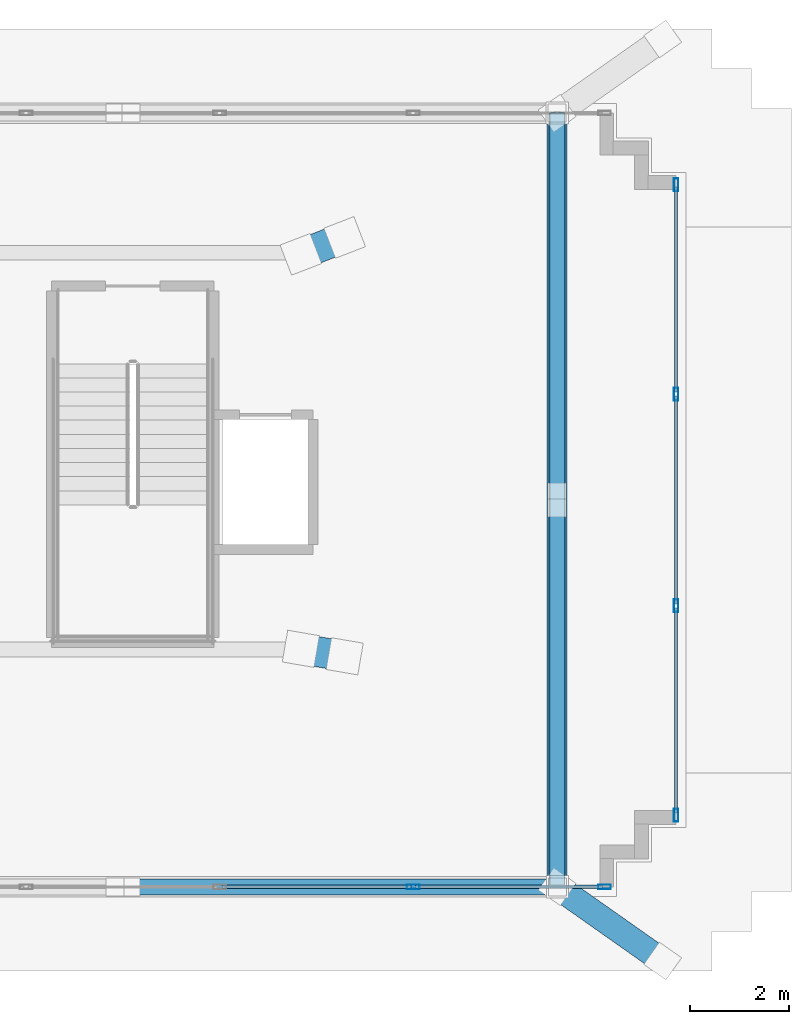
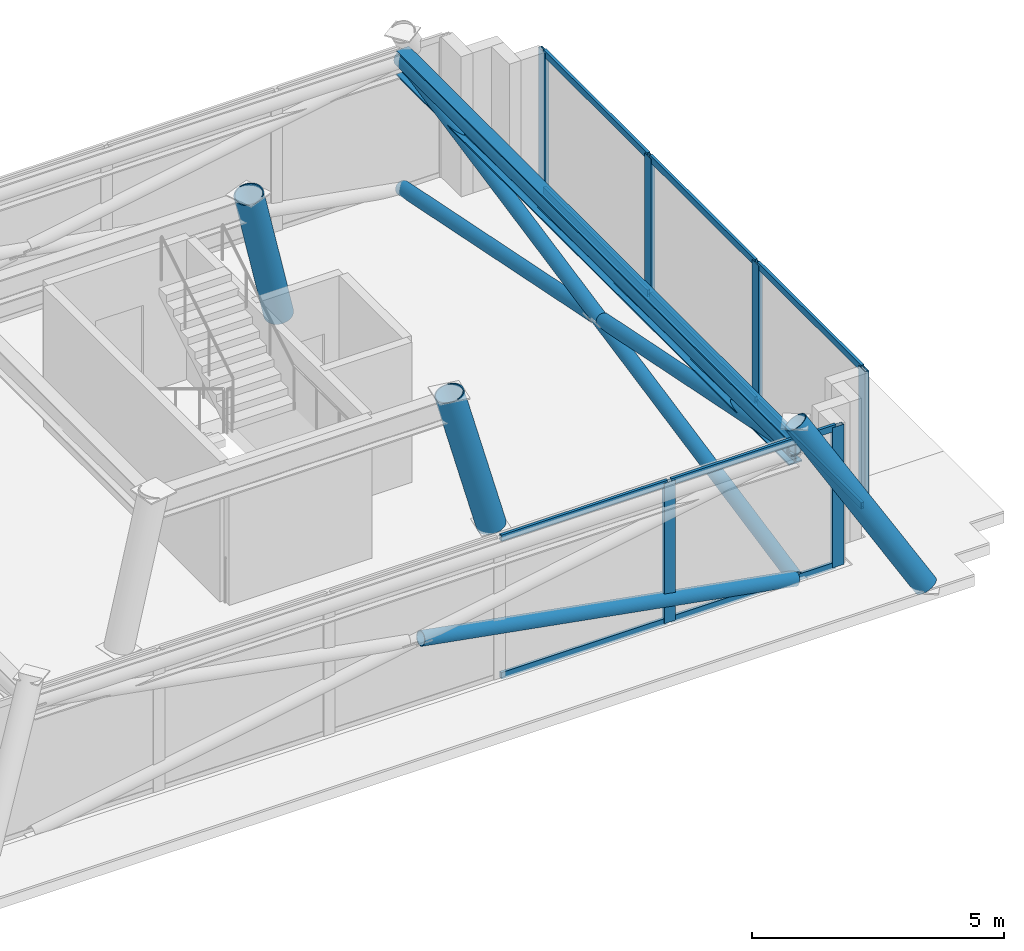
# One storey, part 3 of 8: 24 members, 1 beam, 2 elements without a shape of their own.
"""IFC4 building model written with IfcOpenShell, lengths in metres."""

from ifc_helpers import new_model, si_unit, direction, frame, origin, origin_2d, place, context, subcontext, project, spatial, hollow_rectangle, hollow_circle, i_section, extrude, material, layer, layer_set, material_profile, profile_set, type_object, element, aggregate, save


model = new_model("IFC4")

# Units and contexts
model_context = context("Model", 3, precision=1e-05, world=origin(), true_north=direction((0.0, 1.0)))
body_context = subcontext(model_context, "Body", "Model", "MODEL_VIEW")
ifc_project = project(units=[si_unit("LENGTHUNIT", "METRE"), si_unit("AREAUNIT", "SQUARE_METRE"), si_unit("VOLUMEUNIT", "CUBIC_METRE"), si_unit("PLANEANGLEUNIT", "RADIAN"), si_unit("MASSUNIT", "GRAM", prefix="KILO")], contexts=[model_context])

# Site, building, storey
site_placement = place(None, origin())
site = spatial("IfcSite", under=ifc_project, at=site_placement, CompositionType="ELEMENT")
building_placement = place(site_placement, origin())
building = spatial("IfcBuilding", under=site, at=building_placement, Name="Qobustan Lattice House", CompositionType="ELEMENT")
storey_placement = place(building_placement, frame((0.0, 0.0, 289.199951171875)))
storey = spatial("IfcBuildingStorey", under=building, at=storey_placement, Name="L81", CompositionType="ELEMENT", Elevation=289.199951171875)

# Beam
ifc_material_1 = material(Name="Steel S355", Category="steel")
ifc_material_profile_1 = material_profile(ifc_material_1, i_section(OverallWidth=0.300048828125, OverallDepth=0.60009765625, WebThickness=0.015380859375, FlangeThickness=0.030029296875, FilletRadius=0.027099609375, at=origin_2d()), Name="HEB600")
ifc_profile_set_1 = profile_set([ifc_material_profile_1], Name="Steel S355")
beam_type = type_object("IfcBeamType", Name="BM-POD-HEB600", PredefinedType="USERDEFINED", material=ifc_profile_set_1)
beam_placement = place(storey_placement, frame((8.56640625, -9.408447265625, 3.10009765625), z_axis=(0.0, 1.0, 0.0), x_axis=(-1.0, 0.0, 0.0)))
element("IfcBeam", 1, at=beam_placement, inside=storey, type_object=beam_type, Name="L81 crown perimeter ring beam 2", ObjectType="GIRDER", PredefinedType="USERDEFINED", context=body_context, shape_type="SweptSolid", body=[
    extrude(i_section(OverallWidth=0.300048828125, OverallDepth=0.60009765625, WebThickness=0.015380859375, FlangeThickness=0.030029296875, FilletRadius=0.027099609375, at=origin_2d()), origin(), (0.0, 0.0, 1.0), 15.616943359375),
])

# Curtain wall, members
ifc_material_2 = material(Name="Anodised aluminium and low-E glazing", Category="aluminium")
ifc_layer = layer(ifc_material_2, 0.219970703125)
ifc_layer_set = layer_set([ifc_layer], Name="Anodised aluminium and low-E glazing")
curtain_wall_type = type_object("IfcCurtainWallType", Name="CW-CRN-01", PredefinedType="USERDEFINED", material=ifc_layer_set)
curtain_wall_1_placement = place(storey_placement, origin())
curtain_wall_1 = element("IfcCurtainWall", 2, at=curtain_wall_1_placement, inside=storey, type_object=curtain_wall_type, Name="L81 glass-point crown faceted curtain wall 15", ObjectType="CURTAIN WALL", PredefinedType="USERDEFINED")
ifc_material_3 = material(Name="Anodised aluminium EN AW-6063 T6", Category="aluminium")
ifc_material_profile_2 = material_profile(ifc_material_3, hollow_rectangle(XDim=0.090087890625, YDim=0.260009765625, WallThickness=0.006103515625, at=origin_2d()), Name="CWM-CROWN-260x90")
ifc_profile_set_2 = profile_set([ifc_material_profile_2], Name="Anodised aluminium EN AW-6063 T6")
member_type_1 = type_object("IfcMemberType", Name="CWM-CRN-260", PredefinedType="MULLION", material=ifc_profile_set_2)
member_1_placement = place(storey_placement, frame((10.966552734375, 4.763427734375, 0.0), z_axis=(0.0, 0.0, 1.0), x_axis=(1.0, 0.0, 0.0)))
member_1 = element("IfcMember", 3, at=member_1_placement, type_object=member_type_1, Name="CW-CR mullion 1", PredefinedType="MULLION", context=body_context, shape_type="SweptSolid", body=[
    extrude(hollow_rectangle(XDim=0.090087890625, YDim=0.260009765625, WallThickness=0.006103515625, at=origin_2d()), origin(), (0.0, 0.0, 1.0), 3.400146484375),
])
member_2_placement = place(storey_placement, frame((10.966552734375, 0.5361328125, 0.0), z_axis=(0.0, 0.0, 1.0), x_axis=(1.0, 0.0, 0.0)))
member_2 = element("IfcMember", 4, at=member_2_placement, type_object=member_type_1, Name="CW-CR mullion 2", PredefinedType="MULLION", context=body_context, shape_type="SweptSolid", body=[
    extrude(hollow_rectangle(XDim=0.090087890625, YDim=0.260009765625, WallThickness=0.006103515625, at=origin_2d()), origin(), (0.0, 0.0, 1.0), 3.400146484375),
])
member_3_placement = place(storey_placement, frame((10.966552734375, -3.736083984375, 0.0), z_axis=(0.0, 0.0, 1.0), x_axis=(1.0, 0.0, 0.0)))
member_3 = element("IfcMember", 5, at=member_3_placement, type_object=member_type_1, Name="CW-CR mullion 3", PredefinedType="MULLION", context=body_context, shape_type="SweptSolid", body=[
    extrude(hollow_rectangle(XDim=0.090087890625, YDim=0.260009765625, WallThickness=0.006103515625, at=origin_2d()), origin(), (0.0, 0.0, 1.0), 3.400146484375),
])
member_4_placement = place(storey_placement, frame((10.966552734375, -7.96337890625, 0.0), z_axis=(0.0, 0.0, 1.0), x_axis=(1.0, 0.0, 0.0)))
member_4 = element("IfcMember", 6, at=member_4_placement, type_object=member_type_1, Name="CW-CR mullion 4", PredefinedType="MULLION", context=body_context, shape_type="SweptSolid", body=[
    extrude(hollow_rectangle(XDim=0.090087890625, YDim=0.260009765625, WallThickness=0.006103515625, at=origin_2d()), origin(), (0.0, 0.0, 1.0), 3.400146484375),
])

curtain_wall_2_placement = place(storey_placement, origin())
curtain_wall_2 = element("IfcCurtainWall", 7, at=curtain_wall_2_placement, inside=storey, type_object=curtain_wall_type, Name="L81 glass-point crown faceted curtain wall 20", ObjectType="CURTAIN WALL", PredefinedType="USERDEFINED")
member_5_placement = place(storey_placement, frame((9.521484375, -9.408447265625, 0.0), z_axis=(0.0, 0.0, 1.0), x_axis=(0.0, -1.0, 0.0)))
member_5 = element("IfcMember", 8, at=member_5_placement, type_object=member_type_1, Name="CW-CR mullion 1", PredefinedType="MULLION", context=body_context, shape_type="SweptSolid", body=[
    extrude(hollow_rectangle(XDim=0.090087890625, YDim=0.260009765625, WallThickness=0.006103515625, at=origin_2d()), origin(), (0.0, 0.0, 1.0), 3.400146484375),
])
member_6_placement = place(storey_placement, frame((5.659912109375, -9.408447265625, 0.0), z_axis=(0.0, 0.0, 1.0), x_axis=(0.0, -1.0, 0.0)))
member_6 = element("IfcMember", 9, at=member_6_placement, type_object=member_type_1, Name="CW-CR mullion 2", PredefinedType="MULLION", context=body_context, shape_type="SweptSolid", body=[
    extrude(hollow_rectangle(XDim=0.090087890625, YDim=0.260009765625, WallThickness=0.006103515625, at=origin_2d()), origin(), (0.0, 0.0, 1.0), 3.400146484375),
])

# Member
ifc_material_4 = material(Name="Anodised aluminium EN AW-6063 T6", Category="aluminium")
ifc_material_profile_3 = material_profile(ifc_material_4, hollow_rectangle(XDim=0.06494140625, YDim=0.159912109375, WallThickness=0.00390625, at=origin_2d()), Name="CWT-160x65")
ifc_profile_set_3 = profile_set([ifc_material_profile_3], Name="Anodised aluminium EN AW-6063 T6")
member_type_2 = type_object("IfcMemberType", Name="CWT-HOR-160", PredefinedType="USERDEFINED", material=ifc_profile_set_3)
member_7_placement = place(storey_placement, frame((10.966552734375, 4.718505859375, 0.032470703125), z_axis=(0.0, -1.0, 0.0), x_axis=(1.0, 0.0, 0.0)))
member_7 = element("IfcMember", 10, at=member_7_placement, type_object=member_type_2, Name="CW-CR transom 1.1", ObjectType="TRANSOM", PredefinedType="USERDEFINED", context=body_context, shape_type="SweptSolid", body=[
    extrude(hollow_rectangle(XDim=0.06494140625, YDim=0.159912109375, WallThickness=0.00390625, at=origin_2d()), origin(), (0.0, 0.0, 1.0), 4.137451171875),
])

member_8_placement = place(storey_placement, frame((10.966552734375, 4.718505859375, 3.367431640625), z_axis=(0.0, -1.0, 0.0), x_axis=(1.0, 0.0, 0.0)))
member_8 = element("IfcMember", 11, at=member_8_placement, type_object=member_type_2, Name="CW-CR transom 1.2", ObjectType="TRANSOM", PredefinedType="USERDEFINED", context=body_context, shape_type="SweptSolid", body=[
    extrude(hollow_rectangle(XDim=0.06494140625, YDim=0.159912109375, WallThickness=0.00390625, at=origin_2d()), origin(), (0.0, 0.0, 1.0), 4.137451171875),
])

member_9_placement = place(storey_placement, frame((10.966552734375, 0.4912109375, 0.032470703125), z_axis=(0.0, -1.0, 0.0), x_axis=(1.0, 0.0, 0.0)))
member_9 = element("IfcMember", 12, at=member_9_placement, type_object=member_type_2, Name="CW-CR transom 2.1", ObjectType="TRANSOM", PredefinedType="USERDEFINED", context=body_context, shape_type="SweptSolid", body=[
    extrude(hollow_rectangle(XDim=0.06494140625, YDim=0.159912109375, WallThickness=0.00390625, at=origin_2d()), origin(), (0.0, 0.0, 1.0), 4.182373046875),
])

member_10_placement = place(storey_placement, frame((10.966552734375, 0.4912109375, 3.367431640625), z_axis=(0.0, -1.0, 0.0), x_axis=(1.0, 0.0, 0.0)))
member_10 = element("IfcMember", 13, at=member_10_placement, type_object=member_type_2, Name="CW-CR transom 2.2", ObjectType="TRANSOM", PredefinedType="USERDEFINED", context=body_context, shape_type="SweptSolid", body=[
    extrude(hollow_rectangle(XDim=0.06494140625, YDim=0.159912109375, WallThickness=0.00390625, at=origin_2d()), origin(), (0.0, 0.0, 1.0), 4.182373046875),
])

member_11_placement = place(storey_placement, frame((10.966552734375, -3.78125, 0.032470703125), z_axis=(0.0, -1.0, 0.0), x_axis=(1.0, 0.0, 0.0)))
member_11 = element("IfcMember", 14, at=member_11_placement, type_object=member_type_2, Name="CW-CR transom 3.1", ObjectType="TRANSOM", PredefinedType="USERDEFINED", context=body_context, shape_type="SweptSolid", body=[
    extrude(hollow_rectangle(XDim=0.06494140625, YDim=0.159912109375, WallThickness=0.00390625, at=origin_2d()), origin(), (0.0, 0.0, 1.0), 4.13720703125),
])

member_12_placement = place(storey_placement, frame((10.966552734375, -3.78125, 3.367431640625), z_axis=(0.0, -1.0, 0.0), x_axis=(1.0, 0.0, 0.0)))
member_12 = element("IfcMember", 15, at=member_12_placement, type_object=member_type_2, Name="CW-CR transom 3.2", ObjectType="TRANSOM", PredefinedType="USERDEFINED", context=body_context, shape_type="SweptSolid", body=[
    extrude(hollow_rectangle(XDim=0.06494140625, YDim=0.159912109375, WallThickness=0.00390625, at=origin_2d()), origin(), (0.0, 0.0, 1.0), 4.13720703125),
])

aggregate(curtain_wall_1, [member_1, member_2, member_3, member_4, member_7, member_8, member_9, member_10, member_11, member_12])

member_13_placement = place(storey_placement, frame((9.4765625, -9.408447265625, 0.032470703125), z_axis=(-1.0, 0.0, 0.0), x_axis=(0.0, -1.0, 0.0)))
member_13 = element("IfcMember", 16, at=member_13_placement, type_object=member_type_2, Name="CW-CR transom 1.1", ObjectType="TRANSOM", PredefinedType="USERDEFINED", context=body_context, shape_type="SweptSolid", body=[
    extrude(hollow_rectangle(XDim=0.06494140625, YDim=0.159912109375, WallThickness=0.00390625, at=origin_2d()), origin(), (0.0, 0.0, 1.0), 3.771728515625),
])

member_14_placement = place(storey_placement, frame((9.4765625, -9.408447265625, 3.367431640625), z_axis=(-1.0, 0.0, 0.0), x_axis=(0.0, -1.0, 0.0)))
member_14 = element("IfcMember", 17, at=member_14_placement, type_object=member_type_2, Name="CW-CR transom 1.2", ObjectType="TRANSOM", PredefinedType="USERDEFINED", context=body_context, shape_type="SweptSolid", body=[
    extrude(hollow_rectangle(XDim=0.06494140625, YDim=0.159912109375, WallThickness=0.00390625, at=origin_2d()), origin(), (0.0, 0.0, 1.0), 3.771728515625),
])

member_15_placement = place(storey_placement, frame((5.614990234375, -9.408447265625, 0.032470703125), z_axis=(-1.0, 0.0, 0.0), x_axis=(0.0, -1.0, 0.0)))
member_15 = element("IfcMember", 18, at=member_15_placement, type_object=member_type_2, Name="CW-CR transom 2.1", ObjectType="TRANSOM", PredefinedType="USERDEFINED", context=body_context, shape_type="SweptSolid", body=[
    extrude(hollow_rectangle(XDim=0.06494140625, YDim=0.159912109375, WallThickness=0.00390625, at=origin_2d()), origin(), (0.0, 0.0, 1.0), 3.816650390625),
])

member_16_placement = place(storey_placement, frame((5.614990234375, -9.408447265625, 3.367431640625), z_axis=(-1.0, 0.0, 0.0), x_axis=(0.0, -1.0, 0.0)))
member_16 = element("IfcMember", 19, at=member_16_placement, type_object=member_type_2, Name="CW-CR transom 2.2", ObjectType="TRANSOM", PredefinedType="USERDEFINED", context=body_context, shape_type="SweptSolid", body=[
    extrude(hollow_rectangle(XDim=0.06494140625, YDim=0.159912109375, WallThickness=0.00390625, at=origin_2d()), origin(), (0.0, 0.0, 1.0), 3.816650390625),
])

aggregate(curtain_wall_2, [member_5, member_6, member_13, member_14, member_15, member_16])

# Members
ifc_material_5 = material(Name="Steel S355", Category="steel")
ifc_material_profile_4 = material_profile(ifc_material_5, hollow_circle(Radius=0.161865234375, WallThickness=0.012451171875, at=origin_2d()), Name="CHS323.9x12.5")
ifc_profile_set_4 = profile_set([ifc_material_profile_4], Name="Steel S355")
member_type_3 = type_object("IfcMemberType", Name="MEM-CBR-CHS324", PredefinedType="BRACE", material=ifc_profile_set_4)
member_17_placement = place(storey_placement, frame((8.56640625, -9.408447265625, 0.01513671875), z_axis=(-0.984097492617, 0.0, 0.177629178415), x_axis=(0.0, -1.0, 0.0)))
element("IfcMember", 20, at=member_17_placement, inside=storey, type_object=member_type_3, Name="L81 crown diagrid split brace 1B lower", PredefinedType="BRACE", context=body_context, shape_type="SweptSolid", body=[
    extrude(hollow_circle(Radius=0.161865234375, WallThickness=0.012451171875, at=origin_2d()), origin(), (0.0, 0.0, 1.0), 8.739990234375),
])
member_18_placement = place(storey_placement, frame((8.56640625, -9.408447265625, 0.01513671875), z_axis=(0.0, 0.980077771983, 0.198614100368), x_axis=(-1.0, 0.0, 0.0)))
element("IfcMember", 21, at=member_18_placement, inside=storey, type_object=member_type_3, Name="L81 crown diagrid continuous brace 2A", PredefinedType="BRACE", context=body_context, shape_type="SweptSolid", body=[
    extrude(hollow_circle(Radius=0.161865234375, WallThickness=0.012451171875, at=origin_2d()), origin(), (0.0, 0.0, 1.0), 15.934326171875),
])
for number, where, z_axis, x_axis, name in (
    (22, (8.56640625, 6.20849609375, 0.01513671875), (0.0, -0.980076624288, 0.198619763682), (1.0, 0.0, 0.0), "L81 crown diagrid split brace 2B lower"),
    (23, (8.56640625, -1.7646484375, 1.630859375), (0.0, -0.980076624288, 0.198619763682), (1.0, 0.0, 0.0), "L81 crown diagrid split brace 2B upper"),
):
    element("IfcMember", number, at=place(storey_placement, frame(where, z_axis=z_axis, x_axis=x_axis)), inside=storey, type_object=member_type_3, Name=name, PredefinedType="BRACE", context=body_context, shape_type="SweptSolid", body=[
        extrude(hollow_circle(Radius=0.161865234375, WallThickness=0.012451171875, at=origin_2d()), origin(), (0.0, 0.0, 1.0), 7.799072265625),
    ])
ifc_material_6 = material(Name="Steel S355", Category="steel")
ifc_material_profile_5 = material_profile(ifc_material_6, hollow_circle(Radius=0.203125, WallThickness=0.01611328125, at=origin_2d()), Name="CHS406.4x16")
ifc_profile_set_5 = profile_set([ifc_material_profile_5], Name="Steel S355")
member_type_4 = type_object("IfcMemberType", Name="MEM-RNG-CHS406", PredefinedType="CHORD", material=ifc_profile_set_5)
member_19_placement = place(storey_placement, frame((8.56640625, -9.408447265625, 3.179931640625), z_axis=(0.0, 1.0, 0.0), x_axis=(-1.0, 0.0, 0.0)))
element("IfcMember", 24, at=member_19_placement, inside=storey, type_object=member_type_4, Name="L81 crown ring chord 2", PredefinedType="CHORD", context=body_context, shape_type="SweptSolid", body=[
    extrude(hollow_circle(Radius=0.203125, WallThickness=0.01611328125, at=origin_2d()), origin(), (0.0, 0.0, 1.0), 15.616943359375),
])
ifc_material_7 = material(Name="Steel S355", Category="steel")
ifc_material_profile_6 = material_profile(ifc_material_7, hollow_circle(Radius=0.304931640625, WallThickness=0.02490234375, at=origin_2d()), Name="CHS610x25")
ifc_profile_set_6 = profile_set([ifc_material_profile_6], Name="Steel S355")
member_type_5 = type_object("IfcMemberType", Name="MEM-SPR-CHS610", PredefinedType="USERDEFINED", material=ifc_profile_set_6)
member_20_placement = place(storey_placement, frame((4.274169921875, -4.755615234375, 0.0), z_axis=(-0.25074949261, 0.042983643291, 0.96709725383), x_axis=(-0.168956239166, -0.985623553517, 0.0)))
element("IfcMember", 25, at=member_20_placement, inside=storey, type_object=member_type_5, Name="L81 crown spire leg SL2", ObjectType="CROWN FRAME", PredefinedType="USERDEFINED", context=body_context, shape_type="SweptSolid", body=[
    extrude(hollow_circle(Radius=0.304931640625, WallThickness=0.02490234375, at=origin_2d()), origin(), (0.0, 0.0, 1.0), 3.515869140625),
])
member_21_placement = place(storey_placement, frame((4.274169921875, 3.699951171875, 0.0), z_axis=(-0.249814961857, -0.096300865939, 0.963492930982), x_axis=(0.359688901792, -0.933072287622, 0.0)))
element("IfcMember", 26, at=member_21_placement, inside=storey, type_object=member_type_5, Name="L81 crown spire leg SL3", ObjectType="CROWN FRAME", PredefinedType="USERDEFINED", context=body_context, shape_type="SweptSolid", body=[
    extrude(hollow_circle(Radius=0.304931640625, WallThickness=0.02490234375, at=origin_2d()), origin(), (0.0, 0.0, 1.0), 3.529052734375),
])
ifc_material_8 = material(Name="Steel S355", Category="steel")
ifc_material_profile_7 = material_profile(ifc_material_8, hollow_circle(Radius=0.25390625, WallThickness=0.02001953125, at=origin_2d()), Name="CHS508x20")
ifc_profile_set_7 = profile_set([ifc_material_profile_7], Name="Steel S355")
member_type_6 = type_object("IfcMemberType", Name="MEM-STR-CHS508", PredefinedType="STRUT", material=ifc_profile_set_7)
member_22_placement = place(storey_placement, frame((10.693603515625, -10.906494140625, 0.0), z_axis=(-0.461894421693, 0.325282241652, 0.825133326484), x_axis=(-0.575783920243, -0.817601906303, 0.0)))
element("IfcMember", 27, at=member_22_placement, inside=storey, type_object=member_type_6, Name="L81 crown corner raking strut 2", PredefinedType="STRUT", context=body_context, shape_type="SweptSolid", body=[
    extrude(hollow_circle(Radius=0.25390625, WallThickness=0.02001953125, at=origin_2d()), origin(), (0.0, 0.0, 1.0), 4.60546875),
])

save(model, "model.ifc")
